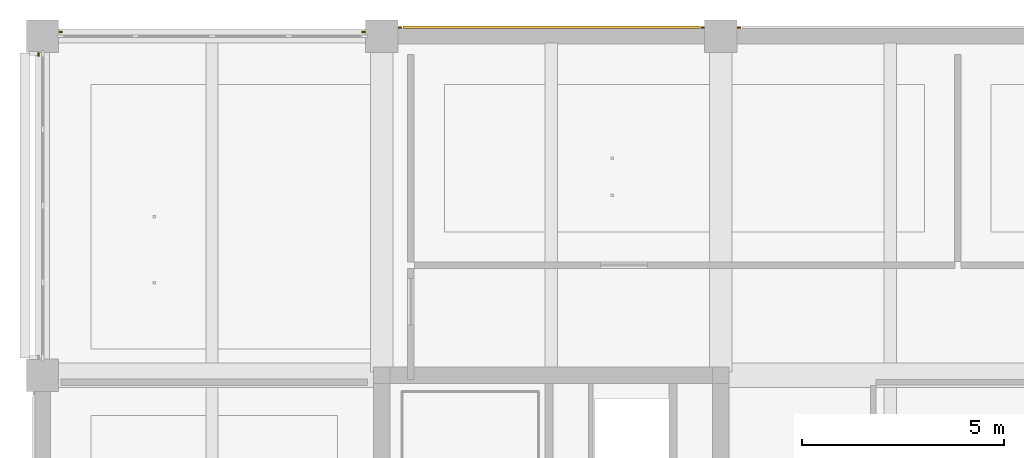
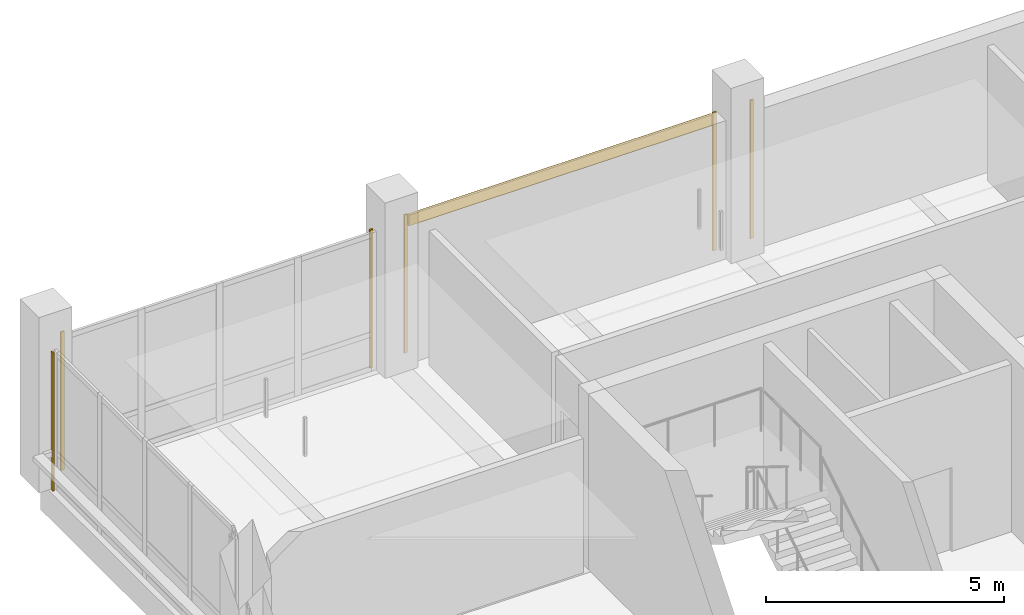
# One storey, part 32 of 35: 7 coverings.
"""IFC4 building model written with IfcOpenShell, lengths in metres."""

import ifcopenshell
import ifcopenshell.guid

model = None  # the IFC model being written
_history = None  # IfcOwnerHistory: only IFC2X3 demands one
_inside = {}  # id of a spatial element -> (the spatial element, [elements in it])
_under = {}  # id of a project, library or spatial element -> (it, [spatial elements below it])
_declared = {}  # id of a project -> (the project, [libraries it declares])
_typed = {}  # id of a type object -> (the type object, [elements of that type])
_made_of = {}  # id of a material, layer set ... -> (it, [elements and type objects made of it])


def new_model(schema):
    """Start an empty IFC model of exactly this schema.

    Asked for "IFC4X3", IfcOpenShell would pick the latest addendum, in which some entities
    have other attributes; the version numbers below select the first issue.
    IFC2X3 requires an IfcOwnerHistory on every rooted entity: one is made here for all.
    """
    global model, _history
    if schema == "IFC4X3":
        model = ifcopenshell.file(schema_version=(4, 3, 0, 0))
    else:
        model = ifcopenshell.file(schema=schema)
    _inside.clear()
    _under.clear()
    _declared.clear()
    _typed.clear()
    _made_of.clear()
    _history = None
    if model.schema == "IFC2X3":
        org = make("IfcOrganization", Name="unknown")
        user = make(
            "IfcPersonAndOrganization",
            ThePerson=make("IfcPerson", FamilyName="unknown"),
            TheOrganization=org,
        )
        app = make(
            "IfcApplication",
            ApplicationDeveloper=org,
            Version="unknown",
            ApplicationFullName="unknown",
            ApplicationIdentifier="unknown",
        )
        _history = make(
            "IfcOwnerHistory",
            OwningUser=user,
            OwningApplication=app,
            ChangeAction="ADDED",
            CreationDate=0,
        )
    return model


def make(cls, **values):
    """One entity of the class cls with the attributes given. An attribute that is None is left unset."""
    return model.create_entity(
        cls, **{name: value for name, value in values.items() if value is not None}
    )


def rooted(cls, **values):
    """An entity with a GlobalId (a new one), such as an element, a storey or a relation."""
    return make(cls, GlobalId=ifcopenshell.guid.new(), OwnerHistory=_history, **values)


def si_unit(unit_type, name, prefix=None):
    """IfcSIUnit, for example si_unit("LENGTHUNIT", "METRE", prefix="MILLI")."""
    return make("IfcSIUnit", UnitType=unit_type, Prefix=prefix, Name=name)


def assignment(units):
    """IfcUnitAssignment: the units of a project."""
    return None if units is None else make("IfcUnitAssignment", Units=units)


def point(xyz):
    """IfcCartesianPoint."""
    return None if xyz is None else make("IfcCartesianPoint", Coordinates=xyz)


def direction(xyz):
    """IfcDirection."""
    return None if xyz is None else make("IfcDirection", DirectionRatios=xyz)


def frame(location, z_axis=None, x_axis=None):
    """IfcAxis2Placement3D, a coordinate frame: its origin and axes. An axis left out is left unset."""
    return make(
        "IfcAxis2Placement3D",
        Location=point(location),
        Axis=direction(z_axis),
        RefDirection=direction(x_axis),
    )


def frame_2d(location, x_axis=None):
    """IfcAxis2Placement2D, a coordinate frame in the plane: its origin and x axis."""
    return make(
        "IfcAxis2Placement2D", Location=point(location), RefDirection=direction(x_axis)
    )


def origin():
    """The frame at (0, 0, 0) with its axes left unset."""
    return frame((0.0, 0.0, 0.0))


def origin_2d():
    """The frame at (0, 0) in the plane with its x axis left unset."""
    return frame_2d((0.0, 0.0))


def place(relative_to, where):
    """IfcLocalPlacement: puts the frame where relative to a parent placement (None: the world)."""
    return make(
        "IfcLocalPlacement", PlacementRelTo=relative_to, RelativePlacement=where
    )


def context(
    kind, dimensions, precision=None, world=None, true_north=None, identifier=None
):
    """IfcGeometricRepresentationContext, for example the 3D "Model" context."""
    return make(
        "IfcGeometricRepresentationContext",
        ContextIdentifier=identifier,
        ContextType=kind,
        CoordinateSpaceDimension=dimensions,
        Precision=precision,
        WorldCoordinateSystem=world,
        TrueNorth=true_north,
    )


def subcontext(parent, identifier, kind, view, scale=None):
    """IfcGeometricRepresentationSubContext, for example "Body" below "Model"."""
    return make(
        "IfcGeometricRepresentationSubContext",
        ContextIdentifier=identifier,
        ContextType=kind,
        ParentContext=parent,
        TargetScale=scale,
        TargetView=view,
    )


def project(units=None, contexts=None):
    """IfcProject with its units and contexts."""
    return rooted(
        "IfcProject",
        Name="project",
        RepresentationContexts=contexts,
        UnitsInContext=assignment(units),
    )


def spatial(cls, under=None, at=None, **own):
    """A site, building, storey or space (cls), placed at a placement, below another one or the project."""
    s = rooted(cls, ObjectPlacement=at, **own)
    if under is not None:
        _under.setdefault(under.id(), (under, []))[1].append(s)
    return s


def profile(cls, at=None, kind="AREA", **sizes):
    """A parametric profile (cls). Its sizes go by their IFC names, for example OverallWidth=200.0."""
    return make(cls, ProfileType=kind, Position=at, **sizes)


def rectangle(**sizes):
    """IfcRectangleProfileDef."""
    return profile("IfcRectangleProfileDef", **sizes)


def extrude(swept, where, along, depth):
    """IfcExtrudedAreaSolid: the profile swept, set in the frame where, extruded along a direction by depth."""
    return make(
        "IfcExtrudedAreaSolid",
        SweptArea=swept,
        Position=where,
        ExtrudedDirection=direction(along),
        Depth=depth,
    )


def shape(context_of_items, identifier, shape_type, items):
    """IfcShapeRepresentation: the items that make up one representation, for example the "Body"."""
    return make(
        "IfcShapeRepresentation",
        ContextOfItems=context_of_items,
        RepresentationIdentifier=identifier,
        RepresentationType=shape_type,
        Items=items,
    )


def material(Name=None, Category=None):
    """IfcMaterial."""
    return make("IfcMaterial", Name=Name, Category=Category)


def layer(
    of_material, thickness, ventilated=None, Name=None, Category=None, Priority=None
):
    """IfcMaterialLayer: one layer of a wall or slab, of a material (None: an air gap)."""
    return make(
        "IfcMaterialLayer",
        Material=of_material,
        LayerThickness=thickness,
        IsVentilated=ventilated,
        Name=Name,
        Category=Category,
        Priority=Priority,
    )


def layer_set(layers, Name=None):
    """IfcMaterialLayerSet."""
    return make("IfcMaterialLayerSet", MaterialLayers=layers, LayerSetName=Name)


def made_of(thing, what):
    """Note that an element or type object is made of a material, layer set ...; save() writes the relation."""
    if what is not None:
        _made_of.setdefault(what.id(), (what, []))[1].append(thing)
    return thing


def type_object(cls, material=None, **own):
    """A type object (cls), such as IfcWallType, which elements share."""
    return made_of(rooted(cls, **own), material)


def element(
    cls,
    number,
    at=None,
    inside=None,
    cuts=None,
    type_object=None,
    material=None,
    context=None,
    identifier="Body",
    shape_type=None,
    held_by="IfcProductDefinitionShape",
    body=None,
    shapes=None,
    **own,
):
    """One element of the class cls, such as IfcWall. Its Tag is "e" and its number.

    at: its placement. inside: the storey or other place that contains it. cuts: it is an
    opening in that element (IfcRelVoidsElement). A single representation is given by context,
    identifier, shape_type and body (its items); several are given by shapes. held_by: the class
    of the entity that holds the representations. save() writes the other relations.
    """
    e = rooted(cls, Tag="e%d" % number, ObjectPlacement=at, **own)
    if body is not None:
        shapes = [shape(context, identifier, shape_type, body)]
    if shapes is not None:
        e.Representation = make(held_by, Representations=shapes)
    if inside is not None:
        _inside.setdefault(inside.id(), (inside, []))[1].append(e)
    if cuts is not None:
        rooted(
            "IfcRelVoidsElement", RelatingBuildingElement=cuts, RelatedOpeningElement=e
        )
    if type_object is not None:
        _typed.setdefault(type_object.id(), (type_object, []))[1].append(e)
    return made_of(e, material)


def aggregate(whole, parts):
    """IfcRelAggregates: a whole, such as a stair, and the parts it consists of."""
    return rooted("IfcRelAggregates", RelatingObject=whole, RelatedObjects=parts)


def save(model, path):
    """Write the relations noted so far, then the file.

    IfcRelAggregates (storeys below a building ...), IfcRelContainedInSpatialStructure (elements
    in a storey), IfcRelDefinesByType, IfcRelAssociatesMaterial and IfcRelDeclares: one each for
    every whole, place, type object, material and project.
    """
    for whole, parts in _under.values():
        aggregate(whole, parts)
    for where, things in _inside.values():
        rooted(
            "IfcRelContainedInSpatialStructure",
            RelatedElements=things,
            RelatingStructure=where,
        )
    for kind, things in _typed.values():
        rooted("IfcRelDefinesByType", RelatedObjects=things, RelatingType=kind)
    for what, things in _made_of.values():
        rooted("IfcRelAssociatesMaterial", RelatedObjects=things, RelatingMaterial=what)
    for by, libraries in _declared.values():
        rooted("IfcRelDeclares", RelatingContext=by, RelatedDefinitions=libraries)
    model.write(path)


model = new_model("IFC4")

# Units and contexts
model_context = context("Model", 3, precision=1e-05, world=origin(), true_north=direction((0.0, 1.0)))
body_context = subcontext(model_context, "Body", "Model", "MODEL_VIEW")
ifc_project = project(units=[si_unit("LENGTHUNIT", "METRE"), si_unit("AREAUNIT", "SQUARE_METRE"), si_unit("VOLUMEUNIT", "CUBIC_METRE"), si_unit("PLANEANGLEUNIT", "RADIAN"), si_unit("MASSUNIT", "GRAM", prefix="KILO")], contexts=[model_context])

# Site, building, storey
site_placement = place(None, origin())
site = spatial("IfcSite", under=ifc_project, at=site_placement, CompositionType="ELEMENT")
building_placement = place(site_placement, origin())
building = spatial("IfcBuilding", under=site, at=building_placement, Name="Telukmera Botanical Conservatory", CompositionType="ELEMENT")
storey_placement = place(building_placement, frame((0.0, 0.0, 28.5)))
storey = spatial("IfcBuildingStorey", under=building, at=storey_placement, Name="L06", CompositionType="ELEMENT", Elevation=28.5)

# Coverings
ifc_material_1 = material(Name="Granite-faced precast concrete C40/50", Category="masonry")
ifc_layer_1 = layer(ifc_material_1, 0.0400390625)
ifc_layer_set_1 = layer_set([ifc_layer_1], Name="Granite-faced precast concrete C40/50")
covering_type_1 = type_object("IfcCoveringType", Name="Granite Precast Column Pier Reveal Casing", PredefinedType="CLADDING", material=ifc_layer_set_1)
for number, where, z_axis, x_axis, name in (
    (1, (50.85205078125, 42.89990234375, 0.0), (0.0, 0.0, 1.0), (1.0, 0.0, 0.0), "Granite Pier Reveal V4:L06:N1 L"),
    (2, (58.347900390625, 42.89990234375, 0.0), (0.0, 0.0, 1.0), (1.0, 0.0, 0.0), "Granite Pier Reveal V4:L06:N1 R"),
    (3, (59.251953125, 43.010009765625, 0.0), (0.0, 0.0, 1.0), (1.0, 0.0, 0.0), "Granite Pier Reveal V4:L06:N2 L"),
    (4, (66.748046875, 43.010009765625, 0.0), (0.0, 0.0, 1.0), (1.0, 0.0, 0.0), "Granite Pier Reveal V4:L06:N2 R"),
    (5, (67.652099609375, 43.010009765625, 0.0), (0.0, 0.0, 1.0), (1.0, 0.0, 0.0), "Granite Pier Reveal V4:L06:N3 L"),
    (6, (50.300048828125, 42.347900390625, 0.0), (0.0, 0.0, 1.0), (0.0, 1.0, 0.0), "Granite Pier Reveal V4:L06:W4 R"),
):
    element("IfcCovering", number, at=place(storey_placement, frame(where, z_axis=z_axis, x_axis=x_axis)), inside=storey, type_object=covering_type_1, Name=name, PredefinedType="CLADDING", context=body_context, shape_type="SweptSolid", body=[
        extrude(rectangle(XDim=0.080078125, YDim=0.0400390625, at=origin_2d()), origin(), (0.0, 0.0, 1.0), 3.550048828125),
    ])
ifc_material_2 = material(Name="Terracotta-faced precast concrete C40/50", Category="masonry")
ifc_layer_2 = layer(ifc_material_2, 0.06005859375)
ifc_layer_set_2 = layer_set([ifc_layer_2], Name="Terracotta-faced precast concrete C40/50")
covering_type_2 = type_object("IfcCoveringType", Name="Polychrome Terracotta Facade Band Cladding", PredefinedType="CLADDING", material=ifc_layer_set_2)
covering_placement = place(storey_placement, frame((63.0, 43.02001953125, 3.22998046875), z_axis=(0.0, 0.0, 1.0), x_axis=(1.0, 0.0, 0.0)))
element("IfcCovering", 7, at=covering_placement, inside=storey, type_object=covering_type_2, Name="Polychrome Terracotta Band V4:L06:N2", PredefinedType="CLADDING", context=body_context, shape_type="SweptSolid", body=[
    extrude(rectangle(XDim=7.35595703125, YDim=0.06005859375, at=origin_2d()), origin(), (0.0, 0.0, 1.0), 0.280029296875),
])

save(model, "model.ifc")
